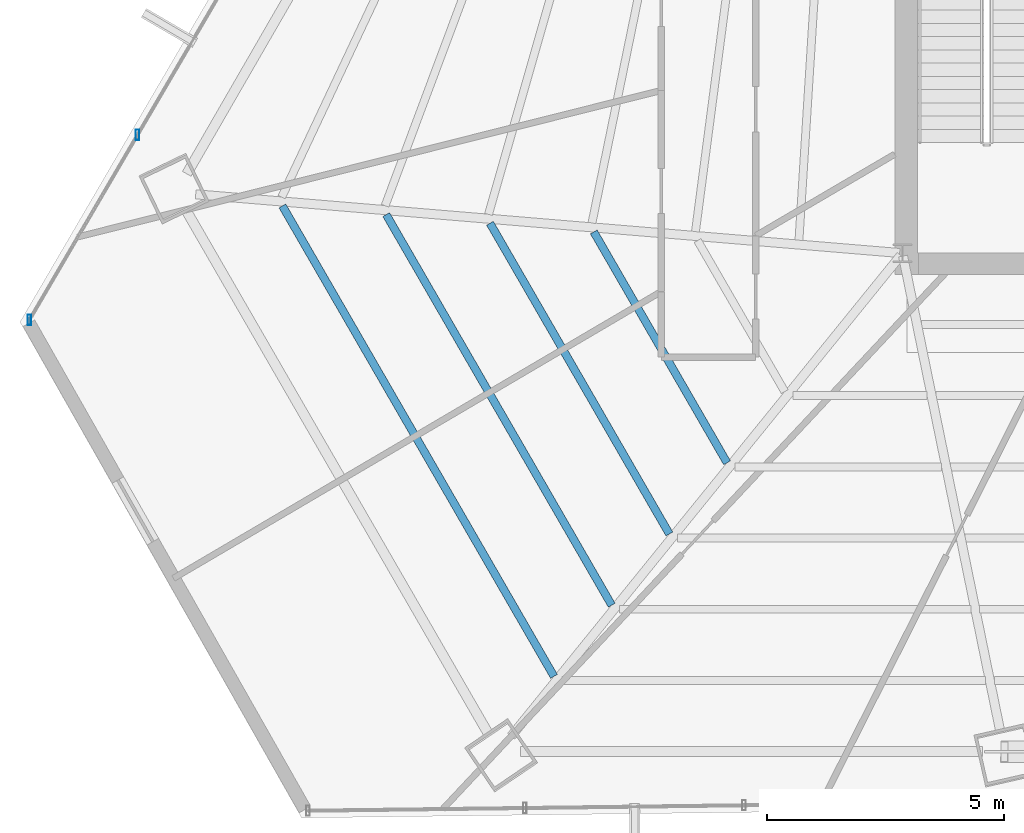
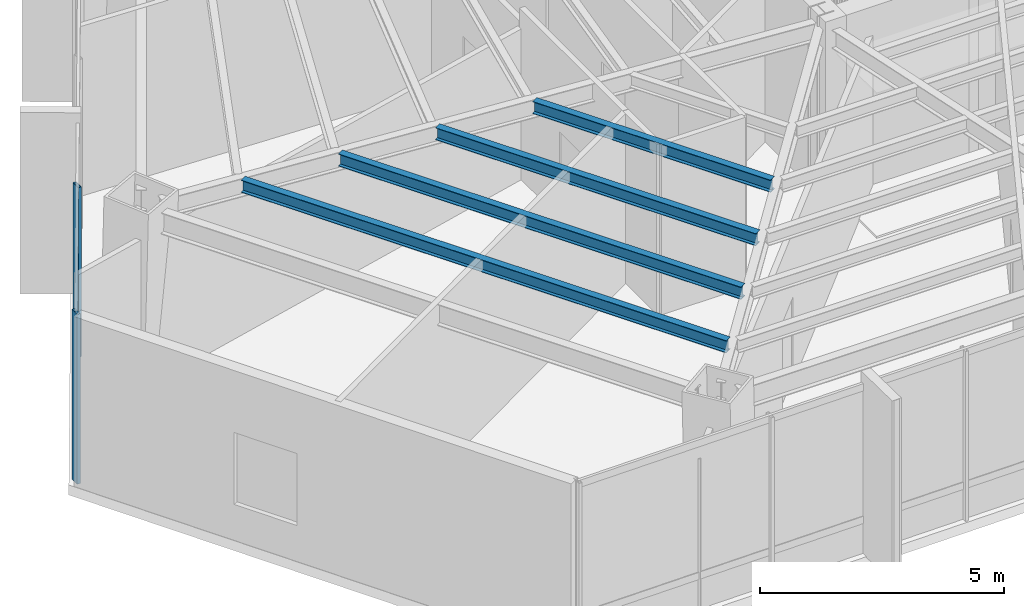
# One storey, part 4 of 37: 4 beams, 2 members, 1 element without a shape of its own.
"""IFC4 building model written with IfcOpenShell, lengths in metres."""

from ifc_helpers import new_model, si_unit, direction, frame, origin, origin_2d, place, context, subcontext, project, spatial, hollow_rectangle, i_section, extrude, source, transform, mapped, material, material_profile, profile_set, type_object, type_shapes, element, aggregate, save


model = new_model("IFC4")

# Units and contexts
model_context = context("Model", 3, precision=1e-05, world=origin(), true_north=direction((0.0, 1.0)))
body_context = subcontext(model_context, "Body", "Model", "MODEL_VIEW")
ifc_project = project(units=[si_unit("LENGTHUNIT", "METRE"), si_unit("AREAUNIT", "SQUARE_METRE"), si_unit("VOLUMEUNIT", "CUBIC_METRE"), si_unit("PLANEANGLEUNIT", "RADIAN"), si_unit("MASSUNIT", "GRAM", prefix="KILO")], contexts=[model_context])

# Site, building, storey
site_placement = place(None, origin())
site = spatial("IfcSite", under=ifc_project, at=site_placement, CompositionType="ELEMENT")
building_placement = place(site_placement, origin())
building = spatial("IfcBuilding", under=site, at=building_placement, Name="Caelisora Broadcast Tower", CompositionType="ELEMENT")
storey_placement = place(building_placement, frame((0.0, 0.0, 127.300048828125)))
storey = spatial("IfcBuildingStorey", under=building, at=storey_placement, Name="L33", CompositionType="ELEMENT", Elevation=127.300048828125)

# Beams
ifc_material_1 = material(Name="Steel Grade 350 (AS/NZS 3679.1)", Category="steel")
ifc_material_profile_1 = material_profile(ifc_material_1, i_section(OverallWidth=0.166015625, OverallDepth=0.30712890625, WebThickness=0.006591796875, FlangeThickness=0.01171875, at=origin_2d()), Name="Steel Grade 350 (AS/NZS 3679.1)")
ifc_profile_set_1 = profile_set([ifc_material_profile_1], Name="Steel Grade 350 (AS/NZS 3679.1)")
beam_type = type_object("IfcBeamType", Name="SB03", PredefinedType="JOIST", material=ifc_profile_set_1)
shared_shape_1 = source(origin(), body_context, "Body", "SweptSolid", [
    extrude(i_section(OverallWidth=0.166015625, OverallDepth=0.30712890625, WebThickness=0.006591796875, FlangeThickness=0.01171875, at=origin_2d()), origin(), (0.0, 0.0, 1.0), 5.63525390625),
])
beam_1_placement = place(storey_placement, frame((23.974609375, 17.850830078125, 4.096435546875), z_axis=(0.499992465616, -0.866029753719, 0.0), x_axis=(0.866029753719, 0.499992465616, 0.0)))
element("IfcBeam", 1, at=beam_1_placement, inside=storey, type_object=beam_type, Name="L33 beam SB03", PredefinedType="JOIST", context=body_context, shape_type="MappedRepresentation", body=[
    mapped(shared_shape_1, transform((0.0, 0.0, 0.0), scale=1.0)),
])
shared_shape_2 = source(origin(), body_context, "Body", "SweptSolid", [
    extrude(i_section(OverallWidth=0.166015625, OverallDepth=0.30712890625, WebThickness=0.006591796875, FlangeThickness=0.01171875, at=origin_2d()), origin(), (0.0, 0.0, 1.0), 7.58447265625),
])
beam_2_placement = place(storey_placement, frame((21.780517578125, 18.03369140625, 4.096435546875), z_axis=(0.499999236088, -0.866025844829, 0.0), x_axis=(0.866025844829, 0.499999236088, 0.0)))
element("IfcBeam", 2, at=beam_2_placement, inside=storey, type_object=beam_type, Name="L33 beam SB03", PredefinedType="JOIST", context=body_context, shape_type="MappedRepresentation", body=[
    mapped(shared_shape_2, transform((0.0, 0.0, 0.0), scale=1.0)),
])
shared_shape_3 = source(origin(), body_context, "Body", "SweptSolid", [
    extrude(i_section(OverallWidth=0.166015625, OverallDepth=0.30712890625, WebThickness=0.006591796875, FlangeThickness=0.01171875, at=origin_2d()), origin(), (0.0, 0.0, 1.0), 9.533935546875),
])
beam_3_placement = place(storey_placement, frame((19.586669921875, 18.216796875, 4.096435546875), z_axis=(0.499992149519, -0.866029936214, 0.0), x_axis=(0.866029936214, 0.499992149519, 0.0)))
element("IfcBeam", 3, at=beam_3_placement, inside=storey, type_object=beam_type, Name="L33 beam SB03", PredefinedType="JOIST", context=body_context, shape_type="MappedRepresentation", body=[
    mapped(shared_shape_3, transform((0.0, 0.0, 0.0), scale=1.0)),
])
shared_shape_4 = source(origin(), body_context, "Body", "SweptSolid", [
    extrude(i_section(OverallWidth=0.166015625, OverallDepth=0.30712890625, WebThickness=0.006591796875, FlangeThickness=0.01171875, at=origin_2d()), origin(), (0.0, 0.0, 1.0), 11.48291015625),
])
type_shapes(beam_type, [shared_shape_1, shared_shape_2, shared_shape_3, shared_shape_4])
beam_4_placement = place(storey_placement, frame((17.392578125, 18.399658203125, 4.096435546875), z_axis=(0.499996675058, -0.866027323432, 0.0), x_axis=(0.866027323432, 0.499996675058, 0.0)))
element("IfcBeam", 4, at=beam_4_placement, inside=storey, type_object=beam_type, Name="L33 beam SB03", PredefinedType="JOIST", context=body_context, shape_type="MappedRepresentation", body=[
    mapped(shared_shape_4, transform((0.0, 0.0, 0.0), scale=1.0)),
])

# Curtain wall, members
ifc_material_2 = material(Name="Unitised Aluminium and Low-E Glass Curtain Wall", Category="glass")
curtain_wall_type = type_object("IfcCurtainWallType", Name="CW-SKY", PredefinedType="NOTDEFINED", material=ifc_material_2)
curtain_wall_placement = place(storey_placement, origin())
curtain_wall = element("IfcCurtainWall", 5, at=curtain_wall_placement, inside=storey, type_object=curtain_wall_type, Name="L33 curtain wall CW-SKY", PredefinedType="NOTDEFINED")
ifc_material_3 = material(Name="Aluminium 6063-T6 Anodised Terracotta Bronze", Category="aluminium")
ifc_material_profile_2 = material_profile(ifc_material_3, hollow_rectangle(XDim=0.074951171875, YDim=0.219970703125, WallThickness=0.00390625, at=origin_2d()), Name="Aluminium 6063-T6 Anodised Terracotta Bronze")
ifc_profile_set_2 = profile_set([ifc_material_profile_2], Name="Aluminium 6063-T6 Anodised Terracotta Bronze")
member_type = type_object("IfcMemberType", Name="CWM-01", PredefinedType="MULLION", material=ifc_profile_set_2)
shared_shape_5 = source(origin(), body_context, "Body", "SweptSolid", [
    extrude(hollow_rectangle(XDim=0.074951171875, YDim=0.219970703125, WallThickness=0.00390625, at=origin_2d()), origin(), (0.0, 0.0, 1.0), 4.25),
])
type_shapes(member_type, [shared_shape_5])
member_1_placement = place(storey_placement, frame((12.044189453125, 15.9892578125, 0.0), z_axis=(0.0, 0.0, 1.0), x_axis=(1.0, 0.0, 0.0)))
member_1 = element("IfcMember", 6, at=member_1_placement, type_object=member_type, Name="L33-CW-B09 mullion #0", PredefinedType="MULLION", context=body_context, shape_type="MappedRepresentation", body=[
    mapped(shared_shape_5, transform((0.0, 0.0, 0.0), scale=1.0)),
])
member_2_placement = place(storey_placement, frame((14.330078125, 19.90087890625, 0.0), z_axis=(0.0, 0.0, 1.0), x_axis=(1.0, 0.0, 0.0)))
member_2 = element("IfcMember", 7, at=member_2_placement, type_object=member_type, Name="L33-CW-B09 mullion #1", PredefinedType="MULLION", context=body_context, shape_type="MappedRepresentation", body=[
    mapped(shared_shape_5, transform((0.0, 0.0, 0.0), scale=1.0)),
])
aggregate(curtain_wall, [member_1, member_2])

save(model, "model.ifc")
